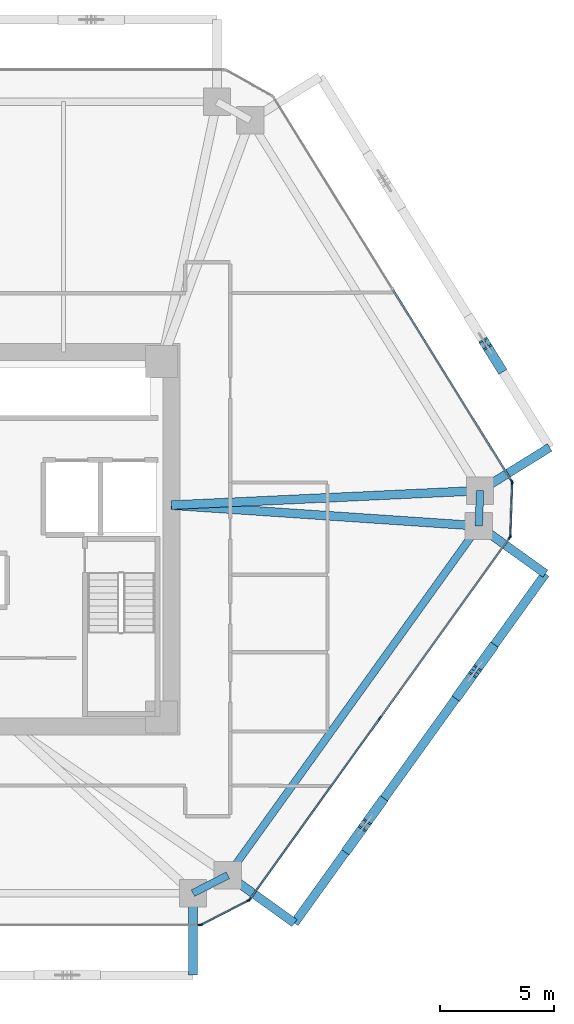
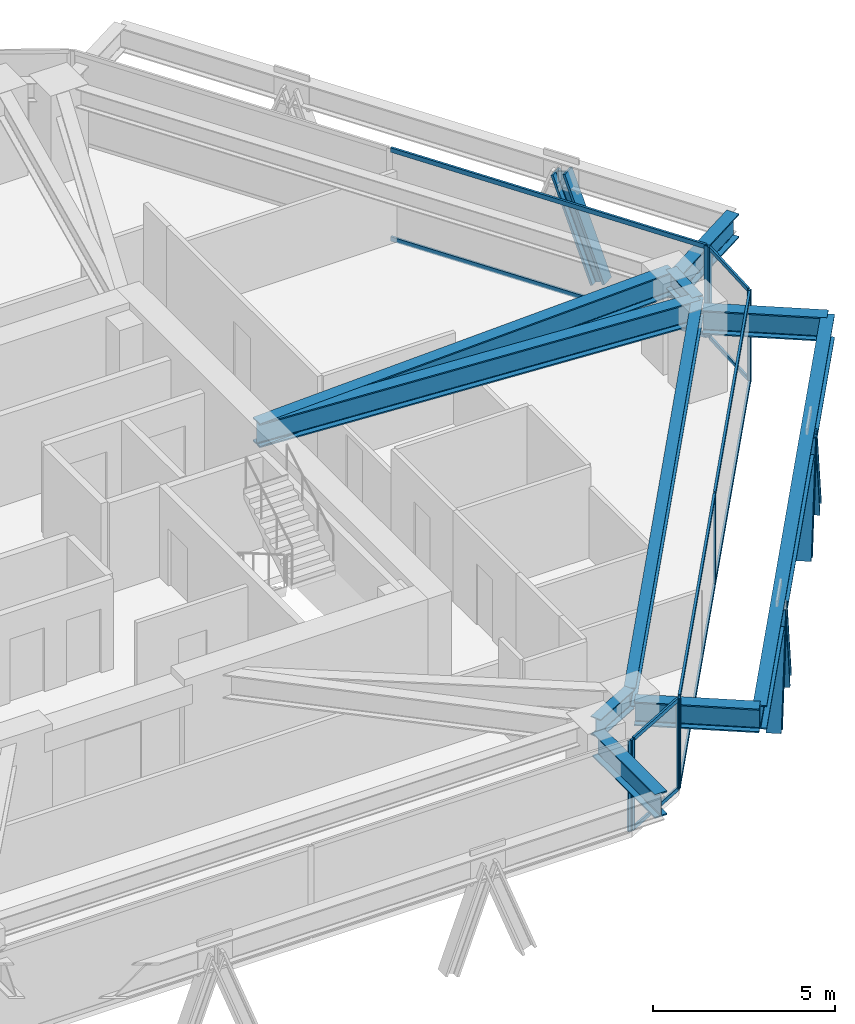
# One storey, part 5 of 15: 24 members, 10 beams, 5 elements without a shape of their own.
"""IFC4 building model written with IfcOpenShell, lengths in metres."""

from ifc_helpers import new_model, si_unit, direction, frame, origin, origin_2d, place, context, subcontext, project, spatial, rectangle, i_section, extrude, source, transform, mapped, material, layer, layer_set, material_profile, profile_set, type_object, type_shapes, element, aggregate, save


model = new_model("IFC4")

# Units and contexts
model_context = context("Model", 3, precision=1e-05, world=origin(), true_north=direction((0.0, 1.0)))
body_context = subcontext(model_context, "Body", "Model", "MODEL_VIEW")
ifc_project = project(units=[si_unit("LENGTHUNIT", "METRE"), si_unit("AREAUNIT", "SQUARE_METRE"), si_unit("VOLUMEUNIT", "CUBIC_METRE"), si_unit("PLANEANGLEUNIT", "RADIAN"), si_unit("MASSUNIT", "GRAM", prefix="KILO")], contexts=[model_context])

# Site, building, storey
site_placement = place(None, origin())
site = spatial("IfcSite", under=ifc_project, at=site_placement, CompositionType="ELEMENT")
building_placement = place(site_placement, origin())
building = spatial("IfcBuilding", under=site, at=building_placement, Name="Durnholm Broadcast Tower", CompositionType="ELEMENT")
storey_placement = place(building_placement, frame((0.0, 0.0, 104.10009765625)))
storey = spatial("IfcBuildingStorey", under=building, at=storey_placement, Name="L27", CompositionType="ELEMENT", Elevation=104.10009765625)

# Beams
ifc_material_1 = material(Name="Steel ASTM A992 Grade 50", Category="steel")
ifc_material_profile_1 = material_profile(ifc_material_1, i_section(OverallWidth=0.385009765625, OverallDepth=0.802978515625, WebThickness=0.023681640625, FlangeThickness=0.0419921875, FilletRadius=0.032958984375, at=origin_2d()), Name="W30X261")
ifc_profile_set_1 = profile_set([ifc_material_profile_1], Name="Steel ASTM A992 Grade 50")
beam_type_1 = type_object("IfcBeamType", Name="BM-EXO-TIE", PredefinedType="USERDEFINED", material=ifc_profile_set_1)
shared_shape_1 = source(origin(), body_context, "Body", "SweptSolid", [
    extrude(i_section(OverallWidth=0.385009765625, OverallDepth=0.802978515625, WebThickness=0.023681640625, FlangeThickness=0.0419921875, FilletRadius=0.032958984375, at=origin_2d()), origin(), (0.0, 0.0, 1.0), 3.4560546875),
])
for number, where, z_axis, x_axis, name in (
    (1, (11.176025390625, -15.680908203125, 2.30859375), (0.0, -1.0, 0.0), (1.0, 0.0, 0.0), "L27 exoskeleton stand-off tie bracket F1.2"),
    (2, (12.826904296875, -14.834228515625, 2.30859375), (0.812164951739, -0.583427880005, 0.0), (0.583427880005, 0.812164951739, 0.0), "L27 exoskeleton stand-off tie bracket F2.1"),
    (3, (23.844970703125, 0.5029296875, 2.30859375), (0.812164951739, -0.583427880005, 0.0), (0.583427880005, 0.812164951739, 0.0), "L27 exoskeleton stand-off tie bracket F2.2"),
    (4, (23.903076171875, 2.21240234375, 2.30859375), (0.849795112316, 0.527113144481, 0.0), (-0.527113144481, 0.849795112316, 0.0), "L27 exoskeleton stand-off tie bracket F3.1"),
):
    element("IfcBeam", number, at=place(storey_placement, frame(where, z_axis=z_axis, x_axis=x_axis)), inside=storey, type_object=beam_type_1, Name=name, ObjectType="GIRDER", PredefinedType="USERDEFINED", context=body_context, shape_type="MappedRepresentation", body=[
        mapped(shared_shape_1, transform((0.0, 0.0, 0.0), x_axis=(1.0, 0.0, 0.0), y_axis=(0.0, 1.0, 0.0), z_axis=(0.0, 0.0, 1.0), scale=1.0)),
    ])
ifc_material_profile_2 = material_profile(ifc_material_1, i_section(OverallWidth=0.3291015625, OverallDepth=0.635009765625, WebThickness=0.017822265625, FlangeThickness=0.031005859375, FilletRadius=0.02783203125, at=origin_2d()), Name="W24X162")
ifc_profile_set_2 = profile_set([ifc_material_profile_2], Name="Steel ASTM A992 Grade 50")
beam_type_2 = type_object("IfcBeamType", Name="STL-SP-W24X162", PredefinedType="SPANDREL", material=ifc_profile_set_2)
shared_shape_2 = source(origin(), body_context, "Body", "SweptSolid", [
    extrude(i_section(OverallWidth=0.3291015625, OverallDepth=0.635009765625, WebThickness=0.017822265625, FlangeThickness=0.031005859375, FilletRadius=0.02783203125, at=origin_2d()), origin(), (0.0, 0.0, 1.0), 18.884521484375),
])
beam_1_placement = place(storey_placement, frame((23.72802734375, 0.5869140625, 2.727294921875), z_axis=(-0.583443434414, -0.812153777827, 0.0), x_axis=(0.812153777827, -0.583443434414, 0.0)))
element("IfcBeam", 5, at=beam_1_placement, inside=storey, type_object=beam_type_2, Name="L27 perimeter spandrel girder 09", PredefinedType="SPANDREL", context=body_context, shape_type="MappedRepresentation", body=[
    mapped(shared_shape_2, transform((0.0, 0.0, 0.0), x_axis=(1.0, 0.0, 0.0), y_axis=(0.0, 1.0, 0.0), z_axis=(0.0, 0.0, 1.0), scale=1.0)),
])
shared_shape_3 = source(origin(), body_context, "Body", "SweptSolid", [
    extrude(i_section(OverallWidth=0.3291015625, OverallDepth=0.635009765625, WebThickness=0.017822265625, FlangeThickness=0.031005859375, FilletRadius=0.02783203125, at=origin_2d()), origin(), (0.0, 0.0, 1.0), 1.723876953125),
])
beam_2_placement = place(storey_placement, frame((12.7099609375, -14.750244140625, 2.727294921875), z_axis=(-0.889762904339, -0.456423020959, 0.0), x_axis=(0.456423020959, -0.889762904339, 0.0)))
element("IfcBeam", 6, at=beam_2_placement, inside=storey, type_object=beam_type_2, Name="L27 perimeter spandrel girder 10", PredefinedType="SPANDREL", context=body_context, shape_type="MappedRepresentation", body=[
    mapped(shared_shape_3, transform((0.0, 0.0, 0.0), x_axis=(1.0, 0.0, 0.0), y_axis=(0.0, 1.0, 0.0), z_axis=(0.0, 0.0, 1.0), scale=1.0)),
])
shared_shape_4 = source(origin(), body_context, "Body", "SweptSolid", [
    extrude(i_section(OverallWidth=0.3291015625, OverallDepth=0.635009765625, WebThickness=0.017822265625, FlangeThickness=0.031005859375, FilletRadius=0.02783203125, at=origin_2d()), origin(), (0.0, 0.0, 1.0), 1.55078125),
])
type_shapes(beam_type_2, [shared_shape_2, shared_shape_3, shared_shape_4])
beam_3_placement = place(storey_placement, frame((23.78076171875, 2.13671875, 2.727294921875), z_axis=(-0.03400678419, -0.999421602042, 0.0), x_axis=(0.999421602042, -0.03400678419, 0.0)))
element("IfcBeam", 7, at=beam_3_placement, inside=storey, type_object=beam_type_2, Name="L27 perimeter spandrel girder 08", PredefinedType="SPANDREL", context=body_context, shape_type="MappedRepresentation", body=[
    mapped(shared_shape_4, transform((0.0, 0.0, 0.0), x_axis=(1.0, 0.0, 0.0), y_axis=(0.0, 1.0, 0.0), z_axis=(0.0, 0.0, 1.0), scale=1.0)),
])
ifc_material_profile_3 = material_profile(ifc_material_1, i_section(OverallWidth=0.385009765625, OverallDepth=0.802978515625, WebThickness=0.023681640625, FlangeThickness=0.0419921875, FilletRadius=0.032958984375, at=origin_2d()), Name="W30X261")
ifc_profile_set_3 = profile_set([ifc_material_profile_3], Name="Steel ASTM A992 Grade 50")
beam_type_3 = type_object("IfcBeamType", Name="STL-GR-W30X261", PredefinedType="USERDEFINED", material=ifc_profile_set_3)
shared_shape_5 = source(origin(), body_context, "Body", "SweptSolid", [
    extrude(i_section(OverallWidth=0.385009765625, OverallDepth=0.802978515625, WebThickness=0.023681640625, FlangeThickness=0.0419921875, FilletRadius=0.032958984375, at=origin_2d()), origin(), (0.0, 0.0, 1.0), 13.570556640625),
])
beam_4_placement = place(storey_placement, frame((10.22509765625, 1.5, 2.643310546875), z_axis=(0.99889869961, 0.046918950518, 0.0), x_axis=(-0.046918950518, 0.99889869961, 0.0)))
element("IfcBeam", 8, at=beam_4_placement, inside=storey, type_object=beam_type_3, Name="L27 radial primary floor girder 08", ObjectType="GIRDER", PredefinedType="USERDEFINED", context=body_context, shape_type="MappedRepresentation", body=[
    mapped(shared_shape_5, transform((0.0, 0.0, 0.0), x_axis=(1.0, 0.0, 0.0), y_axis=(0.0, 1.0, 0.0), z_axis=(0.0, 0.0, 1.0), scale=1.0)),
])
shared_shape_6 = source(origin(), body_context, "Body", "SweptSolid", [
    extrude(i_section(OverallWidth=0.385009765625, OverallDepth=0.802978515625, WebThickness=0.023681640625, FlangeThickness=0.0419921875, FilletRadius=0.032958984375, at=origin_2d()), origin(), (0.0, 0.0, 1.0), 13.53369140625),
])
type_shapes(beam_type_3, [shared_shape_5, shared_shape_6])
beam_5_placement = place(storey_placement, frame((10.22509765625, 1.5, 2.643310546875), z_axis=(0.99772148964, -0.067467244725, 0.0), x_axis=(0.067467244725, 0.99772148964, 0.0)))
element("IfcBeam", 9, at=beam_5_placement, inside=storey, type_object=beam_type_3, Name="L27 radial primary floor girder 09", ObjectType="GIRDER", PredefinedType="USERDEFINED", context=body_context, shape_type="MappedRepresentation", body=[
    mapped(shared_shape_6, transform((0.0, 0.0, 0.0), x_axis=(1.0, 0.0, 0.0), y_axis=(0.0, 1.0, 0.0), z_axis=(0.0, 0.0, 1.0), scale=1.0)),
])
shared_shape_7 = source(origin(), body_context, "Body", "SweptSolid", [
    extrude(i_section(OverallWidth=0.385009765625, OverallDepth=0.802978515625, WebThickness=0.023681640625, FlangeThickness=0.0419921875, FilletRadius=0.032958984375, at=origin_2d()), origin(), (0.0, 0.0, 1.0), 18.884521484375),
])
type_shapes(beam_type_1, [shared_shape_1, shared_shape_7])
beam_6_placement = place(storey_placement, frame((15.6337890625, -16.8505859375, 2.30859375), z_axis=(0.583443434414, 0.812153777827, 0.0), x_axis=(-0.812153777827, 0.583443434414, 0.0)))
element("IfcBeam", 10, at=beam_6_placement, inside=storey, type_object=beam_type_1, Name="L27 exoskeleton collector spandrel F2", PredefinedType="SPANDREL", context=body_context, shape_type="MappedRepresentation", body=[
    mapped(shared_shape_7, transform((0.0, 0.0, 0.0), x_axis=(1.0, 0.0, 0.0), y_axis=(0.0, 1.0, 0.0), z_axis=(0.0, 0.0, 1.0), scale=1.0)),
])

# Members
ifc_material_2 = material(Name="Steel ASTM A913 Grade 65", Category="steel")
ifc_material_profile_4 = material_profile(ifc_material_2, i_section(OverallWidth=0.424072265625, OverallDepth=0.47412109375, WebThickness=0.047607421875, FlangeThickness=0.0771484375, FilletRadius=0.030517578125, at=origin_2d()), Name="W14X426")
ifc_profile_set_4 = profile_set([ifc_material_profile_4], Name="Steel ASTM A913 Grade 65")
member_type_1 = type_object("IfcMemberType", Name="STL-DG-W14X426", PredefinedType="BRACE", material=ifc_profile_set_4)
shared_shape_8 = source(origin(), body_context, "Body", "SweptSolid", [
    extrude(i_section(OverallWidth=0.424072265625, OverallDepth=0.47412109375, WebThickness=0.047607421875, FlangeThickness=0.0771484375, FilletRadius=0.030517578125, at=origin_2d()), origin(), (0.0, 0.0, 1.0), 3.523193359375),
])
type_shapes(member_type_1, [shared_shape_8])
for number, where, z_axis, x_axis, name in (
    (11, (17.9990234375, -13.558349609375, -0.991455078125), (0.204287819296, 0.284395254542, 0.936688756248), (-0.812179469647, 0.583407669717, 0.0), "L27 stand-off diagrid brace F2.D1.1"),
    (12, (19.438720703125, -11.55419921875, -0.991455078125), (-0.204350195342, -0.284454917557, 0.936657033039), (0.812153063014, -0.583444429434, 0.0), "L27 stand-off diagrid brace F2.D1.2"),
    (13, (22.846923828125, -6.81005859375, -0.991455078125), (0.204350195342, 0.284454917557, 0.936657033039), (-0.812153063014, 0.583444429434, 0.0), "L27 stand-off diagrid brace F2.D2.1"),
    (14, (24.28662109375, -4.805908203125, -0.991455078125), (-0.204287819296, -0.284395254542, 0.936688756248), (0.812179469647, -0.583407669717, 0.0), "L27 stand-off diagrid brace F2.D2.2"),
    (15, (24.66552734375, 7.539794921875, -0.991455078125), (-0.184602835855, 0.297623566065, 0.936665364961), (-0.849805205368, -0.527096872433, 0.0), "L27 stand-off diagrid brace F3.D1.1"),
):
    element("IfcMember", number, at=place(storey_placement, frame(where, z_axis=z_axis, x_axis=x_axis)), inside=storey, type_object=member_type_1, Name=name, PredefinedType="BRACE", context=body_context, shape_type="MappedRepresentation", body=[
        mapped(shared_shape_8, transform((0.0, 0.0, 0.0), x_axis=(1.0, 0.0, 0.0), y_axis=(0.0, 1.0, 0.0), z_axis=(0.0, 0.0, 1.0), scale=1.0)),
    ])

# Curtain wall, members
ifc_material_3 = material(Name="Aluminium and Solar Control IGU", Category="aluminium")
ifc_layer_1 = layer(ifc_material_3, 0.1650390625)
ifc_layer_set_1 = layer_set([ifc_layer_1], Name="Aluminium and Solar Control IGU")
curtain_wall_type_1 = type_object("IfcCurtainWallType", Name="CW-SYS-5", PredefinedType="NOTDEFINED", material=ifc_layer_set_1)
curtain_wall_1_placement = place(storey_placement, origin())
curtain_wall_1 = element("IfcCurtainWall", 16, at=curtain_wall_1_placement, inside=storey, type_object=curtain_wall_type_1, Name="L27 curtain wall CW-CORNER CW-L27-CRN-07", PredefinedType="NOTDEFINED")
ifc_material_4 = material(Name="Aluminium 6063-T6", Category="aluminium")
ifc_material_profile_5 = material_profile(ifc_material_4, rectangle(XDim=0.06494140625, YDim=0.1650390625, at=origin_2d()), Name="CWM65X165")
ifc_profile_set_5 = profile_set([ifc_material_profile_5], Name="Aluminium 6063-T6")
member_type_2 = type_object("IfcMemberType", Name="CW-SYS-5-MUL", PredefinedType="MULLION", material=ifc_profile_set_5)
shared_shape_9 = source(origin(), body_context, "Body", "SweptSolid", [
    extrude(rectangle(XDim=0.06494140625, YDim=0.1650390625, at=origin_2d()), origin(), (0.0, 0.0, 1.0), 3.059814453125),
])
type_shapes(member_type_2, [shared_shape_9])
member_1_placement = place(storey_placement, frame((25.193115234375, 2.481201171875, 0.0), z_axis=(0.0, 0.0, 1.0), x_axis=(0.999424655155, -0.033916937775, 0.0)))
member_1 = element("IfcMember", 17, at=member_1_placement, type_object=member_type_2, Name="CW-CORNER mullion 1", PredefinedType="MULLION", context=body_context, shape_type="MappedRepresentation", body=[
    mapped(shared_shape_9, transform((0.0, 0.0, 0.0), x_axis=(1.0, 0.0, 0.0), y_axis=(0.0, 1.0, 0.0), z_axis=(0.0, 0.0, 1.0), scale=1.0)),
])
member_2_placement = place(storey_placement, frame((25.114013671875, 0.1474609375, 0.0), z_axis=(0.0, 0.0, 1.0), x_axis=(0.999424655155, -0.033916937775, 0.0)))
member_2 = element("IfcMember", 18, at=member_2_placement, type_object=member_type_2, Name="CW-CORNER mullion 2", PredefinedType="MULLION", context=body_context, shape_type="MappedRepresentation", body=[
    mapped(shared_shape_9, transform((0.0, 0.0, 0.0), x_axis=(1.0, 0.0, 0.0), y_axis=(0.0, 1.0, 0.0), z_axis=(0.0, 0.0, 1.0), scale=1.0)),
])

curtain_wall_2_placement = place(storey_placement, origin())
curtain_wall_2 = element("IfcCurtainWall", 19, at=curtain_wall_2_placement, inside=storey, type_object=curtain_wall_type_1, Name="L27 curtain wall CW-CORNER CW-L27-CRN-09", PredefinedType="NOTDEFINED")
member_3_placement = place(storey_placement, frame((13.620849609375, -15.8564453125, 0.0), z_axis=(0.0, 0.0, 1.0), x_axis=(0.45637332267, -0.889788396392, 0.0)))
member_3 = element("IfcMember", 20, at=member_3_placement, type_object=member_type_2, Name="CW-CORNER mullion 1", PredefinedType="MULLION", context=body_context, shape_type="MappedRepresentation", body=[
    mapped(shared_shape_9, transform((0.0, 0.0, 0.0), x_axis=(1.0, 0.0, 0.0), y_axis=(0.0, 1.0, 0.0), z_axis=(0.0, 0.0, 1.0), scale=1.0)),
])
member_4_placement = place(storey_placement, frame((11.543212890625, -16.922119140625, 0.0), z_axis=(0.0, 0.0, 1.0), x_axis=(0.45637332267, -0.889788396392, 0.0)))
member_4 = element("IfcMember", 21, at=member_4_placement, type_object=member_type_2, Name="CW-CORNER mullion 2", PredefinedType="MULLION", context=body_context, shape_type="MappedRepresentation", body=[
    mapped(shared_shape_9, transform((0.0, 0.0, 0.0), x_axis=(1.0, 0.0, 0.0), y_axis=(0.0, 1.0, 0.0), z_axis=(0.0, 0.0, 1.0), scale=1.0)),
])

# Curtain wall, member
ifc_layer_2 = layer(ifc_material_3, 0.18994140625)
ifc_layer_set_2 = layer_set([ifc_layer_2], Name="Aluminium and Solar Control IGU")
curtain_wall_type_2 = type_object("IfcCurtainWallType", Name="CW-SYS-3", PredefinedType="NOTDEFINED", material=ifc_layer_set_2)
curtain_wall_3_placement = place(storey_placement, origin())
curtain_wall_3 = element("IfcCurtainWall", 22, at=curtain_wall_3_placement, inside=storey, type_object=curtain_wall_type_2, Name="L27 curtain wall CW-Z12-VIS CW-L27-F06", PredefinedType="NOTDEFINED")
ifc_material_profile_6 = material_profile(ifc_material_4, rectangle(XDim=0.070068359375, YDim=0.18994140625, at=origin_2d()), Name="CWM70X190")
ifc_profile_set_6 = profile_set([ifc_material_profile_6], Name="Aluminium 6063-T6")
member_type_3 = type_object("IfcMemberType", Name="CW-SYS-3-MUL", PredefinedType="MULLION", material=ifc_profile_set_6)
shared_shape_10 = source(origin(), body_context, "Body", "SweptSolid", [
    extrude(rectangle(XDim=0.070068359375, YDim=0.18994140625, at=origin_2d()), origin(), (0.0, 0.0, 1.0), 3.059814453125),
])
type_shapes(member_type_3, [shared_shape_10])
member_5_placement = place(storey_placement, frame((25.17578125, 2.54345703125, 0.0), z_axis=(0.0, 0.0, 1.0), x_axis=(0.849799925229, 0.527105385176, 0.0)))
member_5 = element("IfcMember", 23, at=member_5_placement, type_object=member_type_3, Name="CW-Z12-VIS mullion 3", PredefinedType="MULLION", context=body_context, shape_type="MappedRepresentation", body=[
    mapped(shared_shape_10, transform((0.0, 0.0, 0.0), x_axis=(1.0, 0.0, 0.0), y_axis=(0.0, 1.0, 0.0), z_axis=(0.0, 0.0, 1.0), scale=1.0)),
])

# Curtain wall, members
curtain_wall_4_placement = place(storey_placement, origin())
curtain_wall_4 = element("IfcCurtainWall", 24, at=curtain_wall_4_placement, inside=storey, type_object=curtain_wall_type_2, Name="L27 curtain wall CW-Z12-VIS CW-L27-F08", PredefinedType="NOTDEFINED")
member_6_placement = place(storey_placement, frame((25.092529296875, 0.086669921875, 0.0), z_axis=(0.0, 0.0, 1.0), x_axis=(0.812152312759, -0.583445473786, 0.0)))
member_6 = element("IfcMember", 25, at=member_6_placement, type_object=member_type_3, Name="CW-Z12-VIS mullion 1", PredefinedType="MULLION", context=body_context, shape_type="MappedRepresentation", body=[
    mapped(shared_shape_10, transform((0.0, 0.0, 0.0), x_axis=(1.0, 0.0, 0.0), y_axis=(0.0, 1.0, 0.0), z_axis=(0.0, 0.0, 1.0), scale=1.0)),
])
member_7_placement = place(storey_placement, frame((19.38134765625, -7.86328125, 0.0), z_axis=(0.0, 0.0, 1.0), x_axis=(0.812152312759, -0.583445473786, 0.0)))
member_7 = element("IfcMember", 26, at=member_7_placement, type_object=member_type_3, Name="CW-Z12-VIS mullion 2", PredefinedType="MULLION", context=body_context, shape_type="MappedRepresentation", body=[
    mapped(shared_shape_10, transform((0.0, 0.0, 0.0), x_axis=(1.0, 0.0, 0.0), y_axis=(0.0, 1.0, 0.0), z_axis=(0.0, 0.0, 1.0), scale=1.0)),
])
member_8_placement = place(storey_placement, frame((13.670166015625, -15.813232421875, 0.0), z_axis=(0.0, 0.0, 1.0), x_axis=(0.812152312759, -0.583445473786, 0.0)))
member_8 = element("IfcMember", 27, at=member_8_placement, type_object=member_type_3, Name="CW-Z12-VIS mullion 3", PredefinedType="MULLION", context=body_context, shape_type="MappedRepresentation", body=[
    mapped(shared_shape_10, transform((0.0, 0.0, 0.0), x_axis=(1.0, 0.0, 0.0), y_axis=(0.0, 1.0, 0.0), z_axis=(0.0, 0.0, 1.0), scale=1.0)),
])

# Curtain wall, member
curtain_wall_5_placement = place(storey_placement, origin())
curtain_wall_5 = element("IfcCurtainWall", 28, at=curtain_wall_5_placement, inside=storey, type_object=curtain_wall_type_2, Name="L27 curtain wall CW-Z12-VIS CW-L27-F10", PredefinedType="NOTDEFINED")
member_9_placement = place(storey_placement, frame((11.479248046875, -16.93701171875, 0.0), z_axis=(0.0, 0.0, 1.0), x_axis=(0.0, -1.0, 0.0)))
member_9 = element("IfcMember", 29, at=member_9_placement, type_object=member_type_3, Name="CW-Z12-VIS mullion 1", PredefinedType="MULLION", context=body_context, shape_type="MappedRepresentation", body=[
    mapped(shared_shape_10, transform((0.0, 0.0, 0.0), x_axis=(1.0, 0.0, 0.0), y_axis=(0.0, 1.0, 0.0), z_axis=(0.0, 0.0, 1.0), scale=1.0)),
])
aggregate(curtain_wall_5, [member_9])

# Member
ifc_material_profile_7 = material_profile(ifc_material_4, rectangle(XDim=0.06494140625, YDim=0.1298828125, at=origin_2d()), Name="CWT65X130")
ifc_profile_set_7 = profile_set([ifc_material_profile_7], Name="Aluminium 6063-T6")
member_type_4 = type_object("IfcMemberType", Name="CW-SYS-5-TRN", PredefinedType="USERDEFINED", material=ifc_profile_set_7)
shared_shape_11 = source(origin(), body_context, "Body", "SweptSolid", [
    extrude(rectangle(XDim=0.06494140625, YDim=0.1298828125, at=origin_2d()), origin(), (0.0, 0.0, 1.0), 2.27001953125),
])
type_shapes(member_type_4, [shared_shape_11])
member_10_placement = place(storey_placement, frame((25.192138671875, 2.44873046875, 0.032470703125), z_axis=(-0.03398444704, -0.999422361847, 0.0), x_axis=(0.999422361847, -0.03398444704, 0.0)))
member_10 = element("IfcMember", 30, at=member_10_placement, type_object=member_type_4, Name="CW-CORNER transom 1.1", ObjectType="TRANSOM", PredefinedType="USERDEFINED", context=body_context, shape_type="MappedRepresentation", body=[
    mapped(shared_shape_11, transform((0.0, 0.0, 0.0), x_axis=(1.0, 0.0, 0.0), y_axis=(0.0, 1.0, 0.0), z_axis=(0.0, 0.0, 1.0), scale=1.0)),
])

member_11_placement = place(storey_placement, frame((25.192138671875, 2.44873046875, 3.02734375), z_axis=(-0.03398444704, -0.999422361847, 0.0), x_axis=(0.999422361847, -0.03398444704, 0.0)))
member_11 = element("IfcMember", 31, at=member_11_placement, type_object=member_type_4, Name="CW-CORNER transom 1.2", ObjectType="TRANSOM", PredefinedType="USERDEFINED", context=body_context, shape_type="MappedRepresentation", body=[
    mapped(shared_shape_11, transform((0.0, 0.0, 0.0), x_axis=(1.0, 0.0, 0.0), y_axis=(0.0, 1.0, 0.0), z_axis=(0.0, 0.0, 1.0), scale=1.0)),
])

aggregate(curtain_wall_1, [member_1, member_2, member_10, member_11])

member_12_placement = place(storey_placement, frame((13.591796875, -15.871337890625, 0.032470703125), z_axis=(-0.889798425843, -0.456353767781, 0.0), x_axis=(0.456353767781, -0.889798425843, 0.0)))
member_12 = element("IfcMember", 32, at=member_12_placement, type_object=member_type_4, Name="CW-CORNER transom 1.1", ObjectType="TRANSOM", PredefinedType="USERDEFINED", context=body_context, shape_type="MappedRepresentation", body=[
    mapped(shared_shape_11, transform((0.0, 0.0, 0.0), x_axis=(1.0, 0.0, 0.0), y_axis=(0.0, 1.0, 0.0), z_axis=(0.0, 0.0, 1.0), scale=1.0)),
])

member_13_placement = place(storey_placement, frame((13.591796875, -15.871337890625, 3.02734375), z_axis=(-0.889798425843, -0.456353767781, 0.0), x_axis=(0.456353767781, -0.889798425843, 0.0)))
member_13 = element("IfcMember", 33, at=member_13_placement, type_object=member_type_4, Name="CW-CORNER transom 1.2", ObjectType="TRANSOM", PredefinedType="USERDEFINED", context=body_context, shape_type="MappedRepresentation", body=[
    mapped(shared_shape_11, transform((0.0, 0.0, 0.0), x_axis=(1.0, 0.0, 0.0), y_axis=(0.0, 1.0, 0.0), z_axis=(0.0, 0.0, 1.0), scale=1.0)),
])

aggregate(curtain_wall_2, [member_3, member_4, member_12, member_13])

ifc_material_profile_8 = material_profile(ifc_material_4, rectangle(XDim=0.070068359375, YDim=0.14990234375, at=origin_2d()), Name="CWT70X150")
ifc_profile_set_8 = profile_set([ifc_material_profile_8], Name="Aluminium 6063-T6")
member_type_5 = type_object("IfcMemberType", Name="CW-SYS-3-TRN", PredefinedType="USERDEFINED", material=ifc_profile_set_8)
shared_shape_12 = source(origin(), body_context, "Body", "SweptSolid", [
    extrude(rectangle(XDim=0.070068359375, YDim=0.14990234375, at=origin_2d()), origin(), (0.0, 0.0, 1.0), 9.71875),
])
member_14_placement = place(storey_placement, frame((25.072021484375, 0.05810546875, 0.034912109375), z_axis=(-0.583450726174, -0.812148539448, 0.0), x_axis=(0.812148539448, -0.583450726174, 0.0)))
member_14 = element("IfcMember", 34, at=member_14_placement, type_object=member_type_5, Name="CW-Z12-VIS transom 1.1", ObjectType="TRANSOM", PredefinedType="USERDEFINED", context=body_context, shape_type="MappedRepresentation", body=[
    mapped(shared_shape_12, transform((0.0, 0.0, 0.0), x_axis=(1.0, 0.0, 0.0), y_axis=(0.0, 1.0, 0.0), z_axis=(0.0, 0.0, 1.0), scale=1.0)),
])

member_15_placement = place(storey_placement, frame((25.072021484375, 0.05810546875, 3.02490234375), z_axis=(-0.583450726174, -0.812148539448, 0.0), x_axis=(0.812148539448, -0.583450726174, 0.0)))
member_15 = element("IfcMember", 35, at=member_15_placement, type_object=member_type_5, Name="CW-Z12-VIS transom 1.2", ObjectType="TRANSOM", PredefinedType="USERDEFINED", context=body_context, shape_type="MappedRepresentation", body=[
    mapped(shared_shape_12, transform((0.0, 0.0, 0.0), x_axis=(1.0, 0.0, 0.0), y_axis=(0.0, 1.0, 0.0), z_axis=(0.0, 0.0, 1.0), scale=1.0)),
])

member_16_placement = place(storey_placement, frame((19.36083984375, -7.891845703125, 0.034912109375), z_axis=(-0.583450726174, -0.812148539448, 0.0), x_axis=(0.812148539448, -0.583450726174, 0.0)))
member_16 = element("IfcMember", 36, at=member_16_placement, type_object=member_type_5, Name="CW-Z12-VIS transom 2.1", ObjectType="TRANSOM", PredefinedType="USERDEFINED", context=body_context, shape_type="MappedRepresentation", body=[
    mapped(shared_shape_12, transform((0.0, 0.0, 0.0), x_axis=(1.0, 0.0, 0.0), y_axis=(0.0, 1.0, 0.0), z_axis=(0.0, 0.0, 1.0), scale=1.0)),
])

member_17_placement = place(storey_placement, frame((19.36083984375, -7.891845703125, 3.02490234375), z_axis=(-0.583450726174, -0.812148539448, 0.0), x_axis=(0.812148539448, -0.583450726174, 0.0)))
member_17 = element("IfcMember", 37, at=member_17_placement, type_object=member_type_5, Name="CW-Z12-VIS transom 2.2", ObjectType="TRANSOM", PredefinedType="USERDEFINED", context=body_context, shape_type="MappedRepresentation", body=[
    mapped(shared_shape_12, transform((0.0, 0.0, 0.0), x_axis=(1.0, 0.0, 0.0), y_axis=(0.0, 1.0, 0.0), z_axis=(0.0, 0.0, 1.0), scale=1.0)),
])

aggregate(curtain_wall_4, [member_6, member_7, member_8, member_14, member_15, member_16, member_17])

shared_shape_13 = source(origin(), body_context, "Body", "SweptSolid", [
    extrude(rectangle(XDim=0.070068359375, YDim=0.14990234375, at=origin_2d()), origin(), (0.0, 0.0, 1.0), 9.859130859375),
])
type_shapes(member_type_5, [shared_shape_12, shared_shape_13])
member_18_placement = place(storey_placement, frame((19.960693359375, 10.951171875, 0.034912109375), z_axis=(0.527108872232, -0.849797762303, 0.0), x_axis=(0.849797762303, 0.527108872232, 0.0)))
member_18 = element("IfcMember", 38, at=member_18_placement, type_object=member_type_5, Name="CW-Z12-VIS transom 2.1", ObjectType="TRANSOM", PredefinedType="USERDEFINED", context=body_context, shape_type="MappedRepresentation", body=[
    mapped(shared_shape_13, transform((0.0, 0.0, 0.0), x_axis=(1.0, 0.0, 0.0), y_axis=(0.0, 1.0, 0.0), z_axis=(0.0, 0.0, 1.0), scale=1.0)),
])

member_19_placement = place(storey_placement, frame((19.960693359375, 10.951171875, 3.02490234375), z_axis=(0.527108872232, -0.849797762303, 0.0), x_axis=(0.849797762303, 0.527108872232, 0.0)))
member_19 = element("IfcMember", 39, at=member_19_placement, type_object=member_type_5, Name="CW-Z12-VIS transom 2.2", ObjectType="TRANSOM", PredefinedType="USERDEFINED", context=body_context, shape_type="MappedRepresentation", body=[
    mapped(shared_shape_13, transform((0.0, 0.0, 0.0), x_axis=(1.0, 0.0, 0.0), y_axis=(0.0, 1.0, 0.0), z_axis=(0.0, 0.0, 1.0), scale=1.0)),
])

aggregate(curtain_wall_3, [member_5, member_18, member_19])

save(model, "model.ifc")
